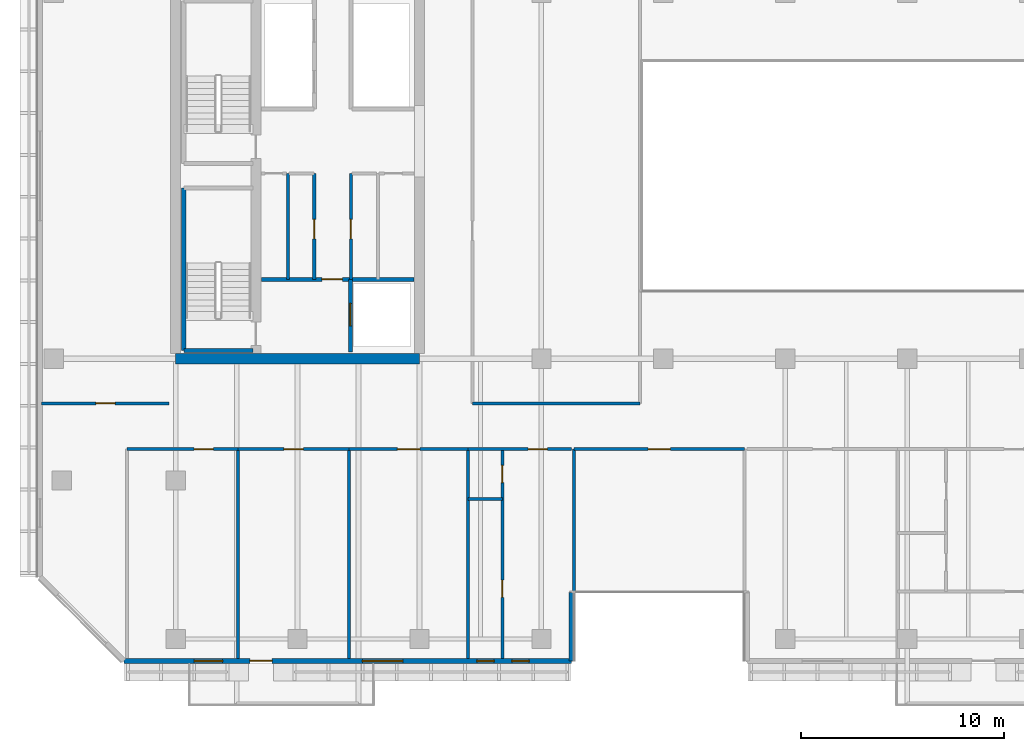
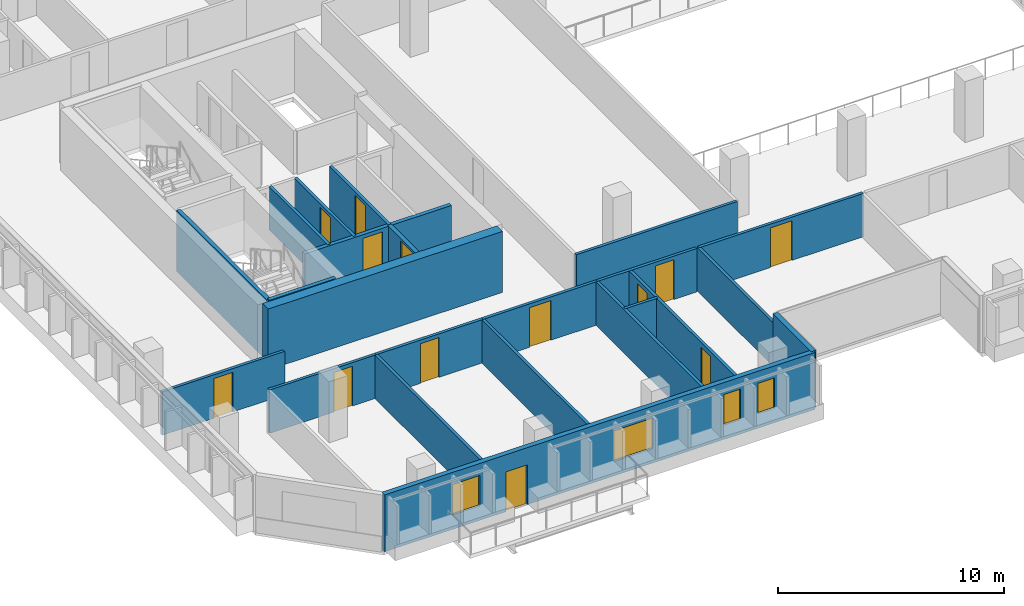
# One storey, part 10 of 23: 23 walls, 13 doors, 4 windows, 17 openings.
"""IFC4 building model written with IfcOpenShell, lengths in metres."""

from ifc_helpers import new_model, si_unit, direction, frame, frame_2d, origin, place, context, subcontext, project, spatial, rectangle, extrude, material, layer, layer_set, type_object, element, fill, save


model = new_model("IFC4")

# Units and contexts
model_context = context("Model", 3, precision=1e-05, world=origin(), true_north=direction((0.0, 1.0)))
body_context = subcontext(model_context, "Body", "Model", "MODEL_VIEW")
ifc_project = project(units=[si_unit("LENGTHUNIT", "METRE"), si_unit("AREAUNIT", "SQUARE_METRE"), si_unit("VOLUMEUNIT", "CUBIC_METRE"), si_unit("PLANEANGLEUNIT", "RADIAN"), si_unit("MASSUNIT", "GRAM", prefix="KILO")], contexts=[model_context])

# Site, building, storey
site_placement = place(None, origin())
site = spatial("IfcSite", under=ifc_project, at=site_placement, CompositionType="ELEMENT")
building_placement = place(site_placement, origin())
building = spatial("IfcBuilding", under=site, at=building_placement, Name="Tanjung Sevakor Pilgrim Tower", CompositionType="ELEMENT")
storey_placement = place(building_placement, frame((0.0, 0.0, 105.27001953125)))
storey = spatial("IfcBuildingStorey", under=building, at=storey_placement, Name="L29", CompositionType="ELEMENT", Elevation=105.27001953125)

# Walls
ifc_material_1 = material(Name="Concrete C60/75", Category="concrete")
ifc_layer_1 = layer(ifc_material_1, 0.5)
ifc_layer_set_1 = layer_set([ifc_layer_1], Name="WALL-CW-500")
wall_type_1 = type_object("IfcWallType", Name="WALL-CW-500", PredefinedType="SHEAR", material=ifc_layer_set_1)
wall_1_placement = place(storey_placement, frame((24.0, 24.60009765625, 0.0), z_axis=(0.0, 0.0, 1.0), x_axis=(1.0, 0.0, 0.0)))
element("IfcWall", 1, at=wall_1_placement, inside=storey, type_object=wall_type_1, Name="L29 W Core South Shear Wall", PredefinedType="SHEAR", context=body_context, shape_type="SweptSolid", body=[
    extrude(rectangle(XDim=12.0, YDim=0.5, at=frame_2d((6.0, 0.0))), origin(), (0.0, 0.0, 1.0), 3.300048828125),
])
ifc_material_2 = material(Name="Concrete C40/50", Category="concrete")
ifc_layer_2 = layer(ifc_material_2, 0.14990234375)
ifc_layer_set_2 = layer_set([ifc_layer_2], Name="WT-COMP-150")
wall_type_2 = type_object("IfcWallType", Name="WT-COMP-150", PredefinedType="SOLIDWALL", material=ifc_layer_set_2)
wall_2_placement = place(storey_placement, frame((29.52001953125, 28.5, 0.0), z_axis=(0.0, 0.0, 1.0), x_axis=(0.0, 1.0, 0.0)))
element("IfcWall", 2, at=wall_2_placement, inside=storey, type_object=wall_type_2, Name="L29 Partition IW-L29-003", PredefinedType="SOLIDWALL", context=body_context, shape_type="SweptSolid", body=[
    extrude(rectangle(XDim=5.219970703125, YDim=0.14990234375, at=frame_2d((2.60986328125, 0.0))), origin(), (0.0, 0.0, 1.0), 2.35009765625),
])

# Wall, opening, door
wall_3_placement = place(storey_placement, frame((30.820068359375, 28.5, 0.0), z_axis=(0.0, 0.0, 1.0), x_axis=(0.0, 1.0, 0.0)))
wall_3 = element("IfcWall", 3, at=wall_3_placement, inside=storey, type_object=wall_type_2, Name="L29 Partition IW-L29-006", PredefinedType="SOLIDWALL", context=body_context, shape_type="SweptSolid", body=[
    extrude(rectangle(XDim=5.219970703125, YDim=0.14990234375, at=frame_2d((2.60986328125, 0.0))), origin(), (0.0, 0.0, 1.0), 2.35009765625),
])
opening_1_placement = place(wall_3_placement, frame((2.0, 0.0, 0.0)))
opening_1 = element("IfcOpeningElement", 4, at=opening_1_placement, cuts=wall_3, Name="Opening ID-FD2", PredefinedType="OPENING", context=body_context, shape_type="SweptSolid", body=[
    extrude(rectangle(XDim=0.949951171875, YDim=2.14990234375, at=frame_2d((0.47509765625, 1.074951171875))), frame((0.0, 0.0849609375, 0.0), z_axis=(0.0, -1.0, 0.0), x_axis=(1.0, 0.0, 0.0)), (0.0, 0.0, 1.0), 0.169921875),
])
ifc_material_3 = material(Name="Fire-Rated Timber", Category="wood")
door_type_1 = type_object("IfcDoorType", Name="DT-FIRE-950", OperationType="NOTDEFINED", PredefinedType="DOOR", material=ifc_material_3)
door_1_placement = place(opening_1_placement, origin())
door_1 = element("IfcDoor", 5, at=door_1_placement, inside=storey, type_object=door_type_1, Name="L29 Housekeeping Pantry Door", OperationType="SINGLE_SWING_RIGHT", OverallHeight=2.14990234375, OverallWidth=0.949951171875, PredefinedType="DOOR", context=body_context, shape_type="SweptSolid", body=[
    extrude(rectangle(XDim=0.949951171875, YDim=2.14990234375, at=frame_2d((0.47509765625, 1.074951171875))), frame((0.0, 0.02490234375, 0.0), z_axis=(0.0, -1.0, 0.0), x_axis=(1.0, 0.0, 0.0)), (0.0, 0.0, 1.0), 0.050048828125),
])
fill(opening_1, door_1)

wall_4_placement = place(storey_placement, frame((32.6201171875, 28.5, 0.0), z_axis=(0.0, 0.0, 1.0), x_axis=(0.0, 1.0, 0.0)))
wall_4 = element("IfcWall", 6, at=wall_4_placement, inside=storey, type_object=wall_type_2, Name="L29 Partition IW-L29-010", PredefinedType="SOLIDWALL", context=body_context, shape_type="SweptSolid", body=[
    extrude(rectangle(XDim=5.219970703125, YDim=0.14990234375, at=frame_2d((2.60986328125, 0.0))), origin(), (0.0, 0.0, 1.0), 2.35009765625),
])
opening_2_placement = place(wall_4_placement, frame((2.0, 0.0, 0.0)))
opening_2 = element("IfcOpeningElement", 7, at=opening_2_placement, cuts=wall_4, Name="Opening ID-FD2", PredefinedType="OPENING", context=body_context, shape_type="SweptSolid", body=[
    extrude(rectangle(XDim=0.949951171875, YDim=2.14990234375, at=frame_2d((0.47509765625, 1.074951171875))), frame((0.0, 0.0849609375, 0.0), z_axis=(0.0, -1.0, 0.0), x_axis=(1.0, 0.0, 0.0)), (0.0, 0.0, 1.0), 0.169921875),
])
door_2_placement = place(opening_2_placement, origin())
door_2 = element("IfcDoor", 8, at=door_2_placement, inside=storey, type_object=door_type_1, Name="L29 Accessible WC Door", OperationType="SINGLE_SWING_RIGHT", OverallHeight=2.14990234375, OverallWidth=0.949951171875, PredefinedType="DOOR", context=body_context, shape_type="SweptSolid", body=[
    extrude(rectangle(XDim=0.949951171875, YDim=2.14990234375, at=frame_2d((0.47509765625, 1.074951171875))), frame((0.0, 0.02490234375, 0.0), z_axis=(0.0, -1.0, 0.0), x_axis=(1.0, 0.0, 0.0)), (0.0, 0.0, 1.0), 0.050048828125),
])
fill(opening_2, door_2)

# Wall
wall_5_placement = place(storey_placement, frame((38.60009765625, 22.39990234375, 0.0), z_axis=(0.0, 0.0, 1.0), x_axis=(1.0, 0.0, 0.0)))
element("IfcWall", 9, at=wall_5_placement, inside=storey, type_object=wall_type_2, Name="L29 Partition IW-L29-029", PredefinedType="SOLIDWALL", context=body_context, shape_type="SweptSolid", body=[
    extrude(rectangle(XDim=8.25, YDim=0.14990234375, at=frame_2d((4.125, 0.0))), origin(), (0.0, 0.0, 1.0), 2.35009765625),
])

# Wall, opening, door
wall_6_placement = place(storey_placement, frame((17.409912109375, 22.39990234375, 0.0), z_axis=(0.0, 0.0, 1.0), x_axis=(1.0, 0.0, 0.0)))
wall_6 = element("IfcWall", 10, at=wall_6_placement, inside=storey, type_object=wall_type_2, Name="L29 Partition IW-L29-037", PredefinedType="SOLIDWALL", context=body_context, shape_type="SweptSolid", body=[
    extrude(rectangle(XDim=6.27001953125, YDim=0.14990234375, at=frame_2d((3.135009765625, 0.0))), origin(), (0.0, 0.0, 1.0), 2.35009765625),
])
opening_3_placement = place(wall_6_placement, frame((2.659912109375, 0.0, 0.0)))
opening_3 = element("IfcOpeningElement", 11, at=opening_3_placement, cuts=wall_6, Name="Opening ID-FD2", PredefinedType="OPENING", context=body_context, shape_type="SweptSolid", body=[
    extrude(rectangle(XDim=0.949951171875, YDim=2.14990234375, at=frame_2d((0.47509765625, 1.074951171875))), frame((0.0, 0.0849609375, 0.0), z_axis=(0.0, -1.0, 0.0), x_axis=(1.0, 0.0, 0.0)), (0.0, 0.0, 1.0), 0.169921875),
])
door_3_placement = place(opening_3_placement, origin())
door_3 = element("IfcDoor", 12, at=door_3_placement, inside=storey, type_object=door_type_1, Name="Study Room Entrance", OperationType="SINGLE_SWING_LEFT", OverallHeight=2.14990234375, OverallWidth=0.949951171875, PredefinedType="DOOR", context=body_context, shape_type="SweptSolid", body=[
    extrude(rectangle(XDim=0.949951171875, YDim=2.14990234375, at=frame_2d((0.47509765625, 1.074951171875))), frame((0.0, 0.02490234375, 0.0), z_axis=(0.0, -1.0, 0.0), x_axis=(1.0, 0.0, 0.0)), (0.0, 0.0, 1.0), 0.050048828125),
])
fill(opening_3, door_3)

wall_7_placement = place(storey_placement, frame((43.60009765625, 20.14990234375, 0.0), z_axis=(0.0, 0.0, 1.0), x_axis=(1.0, 0.0, 0.0)))
wall_7 = element("IfcWall", 13, at=wall_7_placement, inside=storey, type_object=wall_type_2, Name="L29 Partition IW-L29-045", PredefinedType="SOLIDWALL", context=body_context, shape_type="SweptSolid", body=[
    extrude(rectangle(XDim=8.39990234375, YDim=0.14990234375, at=frame_2d((4.199951171875, 0.0))), origin(), (0.0, 0.0, 1.0), 2.35009765625),
])
opening_4_placement = place(wall_7_placement, frame((3.64990234375, 0.0, 0.0)))
opening_4 = element("IfcOpeningElement", 14, at=opening_4_placement, cuts=wall_7, Name="Opening ID-RM2", PredefinedType="OPENING", context=body_context, shape_type="SweptSolid", body=[
    extrude(rectangle(XDim=1.10009765625, YDim=2.14990234375, at=frame_2d((0.550048828125, 1.074951171875))), frame((0.0, 0.0849609375, 0.0), z_axis=(0.0, -1.0, 0.0), x_axis=(1.0, 0.0, 0.0)), (0.0, 0.0, 1.0), 0.169921875),
])
ifc_material_4 = material(Name="Hardwood Timber", Category="wood")
door_type_2 = type_object("IfcDoorType", Name="DT-INT-1100", OperationType="NOTDEFINED", PredefinedType="DOOR", material=ifc_material_4)
door_4_placement = place(opening_4_placement, origin())
door_4 = element("IfcDoor", 15, at=door_4_placement, inside=storey, type_object=door_type_2, Name="L29 South Cleft Communal Lounge Door", OperationType="SINGLE_SWING_LEFT", OverallHeight=2.14990234375, OverallWidth=1.10009765625, PredefinedType="DOOR", context=body_context, shape_type="SweptSolid", body=[
    extrude(rectangle(XDim=1.10009765625, YDim=2.14990234375, at=frame_2d((0.550048828125, 1.074951171875))), frame((0.0, 0.02490234375, 0.0), z_axis=(0.0, -1.0, 0.0), x_axis=(1.0, 0.0, 0.0)), (0.0, 0.0, 1.0), 0.050048828125),
])
fill(opening_4, door_4)

# Walls
for number, where, z_axis, x_axis, name in (
    (16, (43.60009765625, 9.85009765625, 0.0), (0.0, 0.0, 1.0), (0.0, 1.0, 0.0), "L29 Partition IW-L29-046"),
    (17, (27.070068359375, 9.85009765625, 0.0), (0.0, 0.0, 1.0), (0.0, 1.0, 0.0), "L29 Partition IW-L29-052"),
):
    element("IfcWall", number, at=place(storey_placement, frame(where, z_axis=z_axis, x_axis=x_axis)), inside=storey, type_object=wall_type_2, Name=name, PredefinedType="SOLIDWALL", context=body_context, shape_type="SweptSolid", body=[
        extrude(rectangle(XDim=10.2998046875, YDim=0.14990234375, at=frame_2d((5.14990234375, 0.0))), origin(), (0.0, 0.0, 1.0), 2.35009765625),
    ])

# Wall, opening, door
wall_8_placement = place(storey_placement, frame((21.60009765625, 20.14990234375, 0.0), z_axis=(0.0, 0.0, 1.0), x_axis=(1.0, 0.0, 0.0)))
wall_8 = element("IfcWall", 18, at=wall_8_placement, inside=storey, type_object=wall_type_2, Name="L29 Partition IW-L29-053", PredefinedType="SOLIDWALL", context=body_context, shape_type="SweptSolid", body=[
    extrude(rectangle(XDim=5.469970703125, YDim=0.14990234375, at=frame_2d((2.73486328125, 0.0))), origin(), (0.0, 0.0, 1.0), 2.35009765625),
])
opening_5_placement = place(wall_8_placement, frame((3.31005859375, 0.0, 0.0)))
opening_5 = element("IfcOpeningElement", 19, at=opening_5_placement, cuts=wall_8, Name="Opening ID-FD2", PredefinedType="OPENING", context=body_context, shape_type="SweptSolid", body=[
    extrude(rectangle(XDim=0.949951171875, YDim=2.14990234375, at=frame_2d((0.47509765625, 1.074951171875))), frame((0.0, 0.0849609375, 0.0), z_axis=(0.0, -1.0, 0.0), x_axis=(1.0, 0.0, 0.0)), (0.0, 0.0, 1.0), 0.169921875),
])
door_5_placement = place(opening_5_placement, origin())
door_5 = element("IfcDoor", 20, at=door_5_placement, inside=storey, type_object=door_type_1, Name="Study Room Entrance", OperationType="SINGLE_SWING_LEFT", OverallHeight=2.14990234375, OverallWidth=0.949951171875, PredefinedType="DOOR", context=body_context, shape_type="SweptSolid", body=[
    extrude(rectangle(XDim=0.949951171875, YDim=2.14990234375, at=frame_2d((0.47509765625, 1.074951171875))), frame((0.0, 0.02490234375, 0.0), z_axis=(0.0, -1.0, 0.0), x_axis=(1.0, 0.0, 0.0)), (0.0, 0.0, 1.0), 0.050048828125),
])
fill(opening_5, door_5)

# Wall
wall_9_placement = place(storey_placement, frame((32.5400390625, 9.85009765625, 0.0), z_axis=(0.0, 0.0, 1.0), x_axis=(0.0, 1.0, 0.0)))
element("IfcWall", 21, at=wall_9_placement, inside=storey, type_object=wall_type_2, Name="L29 Partition IW-L29-054", PredefinedType="SOLIDWALL", context=body_context, shape_type="SweptSolid", body=[
    extrude(rectangle(XDim=10.2998046875, YDim=0.14990234375, at=frame_2d((5.14990234375, 0.0))), origin(), (0.0, 0.0, 1.0), 2.35009765625),
])

# Wall, opening, door
wall_10_placement = place(storey_placement, frame((27.070068359375, 20.14990234375, 0.0), z_axis=(0.0, 0.0, 1.0), x_axis=(1.0, 0.0, 0.0)))
wall_10 = element("IfcWall", 22, at=wall_10_placement, inside=storey, type_object=wall_type_2, Name="L29 Partition IW-L29-055", PredefinedType="SOLIDWALL", context=body_context, shape_type="SweptSolid", body=[
    extrude(rectangle(XDim=5.469970703125, YDim=0.14990234375, at=frame_2d((2.73486328125, 0.0))), origin(), (0.0, 0.0, 1.0), 2.35009765625),
])
opening_6_placement = place(wall_10_placement, frame((2.260009765625, 0.0, 0.0)))
opening_6 = element("IfcOpeningElement", 23, at=opening_6_placement, cuts=wall_10, Name="Opening ID-FD2", PredefinedType="OPENING", context=body_context, shape_type="SweptSolid", body=[
    extrude(rectangle(XDim=0.949951171875, YDim=2.14990234375, at=frame_2d((0.47509765625, 1.074951171875))), frame((0.0, 0.0849609375, 0.0), z_axis=(0.0, -1.0, 0.0), x_axis=(1.0, 0.0, 0.0)), (0.0, 0.0, 1.0), 0.169921875),
])
door_6_placement = place(opening_6_placement, origin())
door_6 = element("IfcDoor", 24, at=door_6_placement, inside=storey, type_object=door_type_1, Name="Study Room Entrance", OperationType="SINGLE_SWING_RIGHT", OverallHeight=2.14990234375, OverallWidth=0.949951171875, PredefinedType="DOOR", context=body_context, shape_type="SweptSolid", body=[
    extrude(rectangle(XDim=0.949951171875, YDim=2.14990234375, at=frame_2d((0.47509765625, 1.074951171875))), frame((0.0, 0.02490234375, 0.0), z_axis=(0.0, -1.0, 0.0), x_axis=(1.0, 0.0, 0.0)), (0.0, 0.0, 1.0), 0.050048828125),
])
fill(opening_6, door_6)

# Wall
wall_11_placement = place(storey_placement, frame((38.38720703125, 9.85009765625, 0.0), z_axis=(0.0, 0.0, 1.0), x_axis=(0.0, 1.0, 0.0)))
element("IfcWall", 25, at=wall_11_placement, inside=storey, type_object=wall_type_2, Name="L29 Partition IW-L29-056", PredefinedType="SOLIDWALL", context=body_context, shape_type="SweptSolid", body=[
    extrude(rectangle(XDim=10.2998046875, YDim=0.14990234375, at=frame_2d((5.14990234375, 0.0))), origin(), (0.0, 0.0, 1.0), 2.35009765625),
])

# Wall, opening, door
wall_12_placement = place(storey_placement, frame((32.5400390625, 20.14990234375, 0.0), z_axis=(0.0, 0.0, 1.0), x_axis=(1.0, 0.0, 0.0)))
wall_12 = element("IfcWall", 26, at=wall_12_placement, inside=storey, type_object=wall_type_2, Name="L29 Partition IW-L29-057", PredefinedType="SOLIDWALL", context=body_context, shape_type="SweptSolid", body=[
    extrude(rectangle(XDim=5.84716796875, YDim=0.14990234375, at=frame_2d((2.923583984375, 0.0))), origin(), (0.0, 0.0, 1.0), 2.35009765625),
])
opening_7_placement = place(wall_12_placement, frame((2.37353515625, 0.0, 0.0)))
opening_7 = element("IfcOpeningElement", 27, at=opening_7_placement, cuts=wall_12, Name="Opening ID-FD0", PredefinedType="OPENING", context=body_context, shape_type="SweptSolid", body=[
    extrude(rectangle(XDim=1.10009765625, YDim=2.14990234375, at=frame_2d((0.550048828125, 1.074951171875))), frame((0.0, 0.0849609375, 0.0), z_axis=(0.0, -1.0, 0.0), x_axis=(1.0, 0.0, 0.0)), (0.0, 0.0, 1.0), 0.169921875),
])
ifc_material_5 = material(Name="Fire-Rated Steel S355J2", Category="steel")
door_type_3 = type_object("IfcDoorType", Name="DT-FIRE-1100", OperationType="NOTDEFINED", PredefinedType="DOOR", material=ifc_material_5)
door_7_placement = place(opening_7_placement, origin())
door_7 = element("IfcDoor", 28, at=door_7_placement, inside=storey, type_object=door_type_3, Name="Communal Lounge Door", OperationType="SINGLE_SWING_LEFT", OverallHeight=2.14990234375, OverallWidth=1.10009765625, PredefinedType="DOOR", context=body_context, shape_type="SweptSolid", body=[
    extrude(rectangle(XDim=1.10009765625, YDim=2.14990234375, at=frame_2d((0.550048828125, 1.074951171875))), frame((0.0, 0.02490234375, 0.0), z_axis=(0.0, -1.0, 0.0), x_axis=(1.0, 0.0, 0.0)), (0.0, 0.0, 1.0), 0.050048828125),
])
fill(opening_7, door_7)

wall_13_placement = place(storey_placement, frame((38.38720703125, 20.14990234375, 0.0), z_axis=(0.0, 0.0, 1.0), x_axis=(1.0, 0.0, 0.0)))
wall_13 = element("IfcWall", 29, at=wall_13_placement, inside=storey, type_object=wall_type_2, Name="L29 Partition IW-L29-060", PredefinedType="SOLIDWALL", context=body_context, shape_type="SweptSolid", body=[
    extrude(rectangle(XDim=5.0927734375, YDim=0.14990234375, at=frame_2d((2.54638671875, 0.0))), origin(), (0.0, 0.0, 1.0), 2.35009765625),
])
opening_8_placement = place(wall_13_placement, frame((2.957763671875, 0.0, 0.0)))
opening_8 = element("IfcOpeningElement", 30, at=opening_8_placement, cuts=wall_13, Name="Opening ID-FD2", PredefinedType="OPENING", context=body_context, shape_type="SweptSolid", body=[
    extrude(rectangle(XDim=0.949951171875, YDim=2.14990234375, at=frame_2d((0.47509765625, 1.074951171875))), frame((0.0, 0.0849609375, 0.0), z_axis=(0.0, -1.0, 0.0), x_axis=(1.0, 0.0, 0.0)), (0.0, 0.0, 1.0), 0.169921875),
])
door_8_placement = place(opening_8_placement, origin())
door_8 = element("IfcDoor", 31, at=door_8_placement, inside=storey, type_object=door_type_1, Name="Hotel Guestroom Entrance", OperationType="SINGLE_SWING_RIGHT", OverallHeight=2.14990234375, OverallWidth=0.949951171875, PredefinedType="DOOR", context=body_context, shape_type="SweptSolid", body=[
    extrude(rectangle(XDim=0.949951171875, YDim=2.14990234375, at=frame_2d((0.47509765625, 1.074951171875))), frame((0.0, 0.02490234375, 0.0), z_axis=(0.0, -1.0, 0.0), x_axis=(1.0, 0.0, 0.0)), (0.0, 0.0, 1.0), 0.050048828125),
])
fill(opening_8, door_8)

# Wall, openings, door, windows
ifc_material_6 = material(Name="Precast concrete C45/55", Category="concrete")
ifc_layer_3 = layer(ifc_material_6, 0.25)
ifc_layer_set_3 = layer_set([ifc_layer_3], Name="WT-EW-STN3")
wall_type_3 = type_object("IfcWallType", Name="WT-EW-STN3", PredefinedType="SOLIDWALL", material=ifc_layer_set_3)
wall_14_placement = place(storey_placement, frame((21.451904296875, 9.72509765625, 0.0), z_axis=(0.0, 0.0, 1.0), x_axis=(1.0, 0.0, 0.0)))
wall_14 = element("IfcWall", 32, at=wall_14_placement, inside=storey, type_object=wall_type_3, Name="L29 MAIN Exterior Wall 1", PredefinedType="SOLIDWALL", context=body_context, shape_type="SweptSolid", body=[
    extrude(rectangle(XDim=22.023193359375, YDim=0.25, at=frame_2d((11.01171875, 0.0))), origin(), (0.0, 0.0, 1.0), 3.080078125),
])
opening_9_placement = place(wall_14_placement, frame((6.1982421875, 0.0, 0.0)))
opening_9 = element("IfcOpeningElement", 33, at=opening_9_placement, cuts=wall_14, Name="Opening ED-BAL-1100", PredefinedType="OPENING", context=body_context, shape_type="SweptSolid", body=[
    extrude(rectangle(XDim=1.10009765625, YDim=2.14990234375, at=frame_2d((0.550048828125, 1.074951171875))), frame((0.0, 0.135009765625, 0.0), z_axis=(0.0, -1.0, 0.0), x_axis=(1.0, 0.0, 0.0)), (0.0, 0.0, 1.0), 0.27001953125),
])
opening_10_placement = place(wall_14_placement, frame((3.463134765625, 0.0, 0.780029296875)))
opening_10 = element("IfcOpeningElement", 34, at=opening_10_placement, cuts=wall_14, Name="Opening WN-END", PredefinedType="OPENING", context=body_context, shape_type="SweptSolid", body=[
    extrude(rectangle(XDim=1.39990234375, YDim=1.64990234375, at=frame_2d((0.699951171875, 0.824951171875))), frame((0.0, 0.135009765625, 0.0), z_axis=(0.0, -1.0, 0.0), x_axis=(1.0, 0.0, 0.0)), (0.0, 0.0, 1.0), 0.27001953125),
])
opening_11_placement = place(wall_14_placement, frame((11.731689453125, 0.0, 0.780029296875)))
opening_11 = element("IfcOpeningElement", 35, at=opening_11_placement, cuts=wall_14, Name="Opening WN-Z2-1660", PredefinedType="OPENING", context=body_context, shape_type="SweptSolid", body=[
    extrude(rectangle(XDim=2.0, YDim=1.659912109375, at=frame_2d((1.0, 0.830078125))), frame((0.0, 0.135009765625, 0.0), z_axis=(0.0, -1.0, 0.0), x_axis=(1.0, 0.0, 0.0)), (0.0, 0.0, 1.0), 0.27001953125),
])
opening_12_placement = place(wall_14_placement, frame((17.36669921875, 0.0, 0.780029296875)))
opening_12 = element("IfcOpeningElement", 36, at=opening_12_placement, cuts=wall_14, Name="Opening WN-SLM", PredefinedType="OPENING", context=body_context, shape_type="SweptSolid", body=[
    extrude(rectangle(XDim=0.85009765625, YDim=1.64990234375, at=frame_2d((0.425048828125, 0.824951171875))), frame((0.0, 0.135009765625, 0.0), z_axis=(0.0, -1.0, 0.0), x_axis=(1.0, 0.0, 0.0)), (0.0, 0.0, 1.0), 0.27001953125),
])
opening_13_placement = place(wall_14_placement, frame((19.09326171875, 0.0, 0.780029296875)))
opening_13 = element("IfcOpeningElement", 37, at=opening_13_placement, cuts=wall_14, Name="Opening WN-SLM", PredefinedType="OPENING", context=body_context, shape_type="SweptSolid", body=[
    extrude(rectangle(XDim=0.85009765625, YDim=1.64990234375, at=frame_2d((0.425048828125, 0.824951171875))), frame((0.0, 0.135009765625, 0.0), z_axis=(0.0, -1.0, 0.0), x_axis=(1.0, 0.0, 0.0)), (0.0, 0.0, 1.0), 0.27001953125),
])
ifc_material_7 = material(Name="Anodised Aluminium and Laminated Glass", Category="aluminium")
door_type_4 = type_object("IfcDoorType", Name="DTYP-ED-BAL-1100", OperationType="NOTDEFINED", PredefinedType="DOOR", material=ifc_material_7)
door_9_placement = place(opening_9_placement, frame((1.10009765625, 0.0, 0.0), z_axis=(0.0, 0.0, 1.0), x_axis=(-1.0, 0.0, 0.0)))
door_9 = element("IfcDoor", 38, at=door_9_placement, inside=storey, type_object=door_type_4, Name="L29 Balcony Door MAIN-S1", OperationType="SINGLE_SWING_RIGHT", OverallHeight=2.14990234375, OverallWidth=1.10009765625, PredefinedType="DOOR", context=body_context, shape_type="SweptSolid", body=[
    extrude(rectangle(XDim=1.10009765625, YDim=2.14990234375, at=frame_2d((0.550048828125, 1.074951171875))), frame((0.0, 0.02490234375, 0.0), z_axis=(0.0, -1.0, 0.0), x_axis=(1.0, 0.0, 0.0)), (0.0, 0.0, 1.0), 0.050048828125),
])
fill(opening_9, door_9)
ifc_material_8 = material(Name="Thermally Broken Aluminium and Low-E Glass", Category="aluminium")
window_type_1 = type_object("IfcWindowType", Name="WTYP-WN-END", PartitioningType="SINGLE_PANEL", PredefinedType="WINDOW", material=ifc_material_8)
window_1_placement = place(opening_10_placement, origin())
window_1 = element("IfcWindow", 39, at=window_1_placement, inside=storey, type_object=window_type_1, Name="L29 Facade Window 01", OverallHeight=1.64990234375, OverallWidth=1.39990234375, PartitioningType="SINGLE_PANEL", PredefinedType="WINDOW", context=body_context, shape_type="SweptSolid", body=[
    extrude(rectangle(XDim=1.39990234375, YDim=1.64990234375, at=frame_2d((0.699951171875, 0.824951171875))), frame((0.0, 0.030029296875, 0.0), z_axis=(0.0, -1.0, 0.0), x_axis=(1.0, 0.0, 0.0)), (0.0, 0.0, 1.0), 0.06005859375),
])
fill(opening_10, window_1)
ifc_material_9 = material(Name="Thermally Broken Aluminium and Low-E Glass", Category="aluminium")
window_type_2 = type_object("IfcWindowType", Name="WTYP-WN-SLM", PartitioningType="SINGLE_PANEL", PredefinedType="WINDOW", material=ifc_material_9)
window_2_placement = place(opening_12_placement, origin())
window_2 = element("IfcWindow", 40, at=window_2_placement, inside=storey, type_object=window_type_2, Name="L29 Facade Window 03", OverallHeight=1.64990234375, OverallWidth=0.85009765625, PartitioningType="SINGLE_PANEL", PredefinedType="WINDOW", context=body_context, shape_type="SweptSolid", body=[
    extrude(rectangle(XDim=0.85009765625, YDim=1.64990234375, at=frame_2d((0.425048828125, 0.824951171875))), frame((0.0, 0.030029296875, 0.0), z_axis=(0.0, -1.0, 0.0), x_axis=(1.0, 0.0, 0.0)), (0.0, 0.0, 1.0), 0.06005859375),
])
fill(opening_12, window_2)
window_3_placement = place(opening_13_placement, origin())
window_3 = element("IfcWindow", 41, at=window_3_placement, inside=storey, type_object=window_type_2, Name="L29 Facade Window 04", OverallHeight=1.64990234375, OverallWidth=0.85009765625, PartitioningType="SINGLE_PANEL", PredefinedType="WINDOW", context=body_context, shape_type="SweptSolid", body=[
    extrude(rectangle(XDim=0.85009765625, YDim=1.64990234375, at=frame_2d((0.425048828125, 0.824951171875))), frame((0.0, 0.030029296875, 0.0), z_axis=(0.0, -1.0, 0.0), x_axis=(1.0, 0.0, 0.0)), (0.0, 0.0, 1.0), 0.06005859375),
])
fill(opening_13, window_3)
ifc_material_10 = material(Name="Thermally Broken Aluminium and Low-E Glass", Category="aluminium")
window_type_3 = type_object("IfcWindowType", Name="WTYP-WN-Z2-1660", PartitioningType="DOUBLE_PANEL_VERTICAL", PredefinedType="WINDOW", material=ifc_material_10)
window_4_placement = place(opening_11_placement, origin())
window_4 = element("IfcWindow", 42, at=window_4_placement, inside=storey, type_object=window_type_3, Name="L29 Facade Window 02", OverallHeight=1.659912109375, OverallWidth=2.0, PartitioningType="SINGLE_PANEL", PredefinedType="WINDOW", context=body_context, shape_type="SweptSolid", body=[
    extrude(rectangle(XDim=2.0, YDim=1.659912109375, at=frame_2d((1.0, 0.830078125))), frame((0.0, 0.030029296875, 0.0), z_axis=(0.0, -1.0, 0.0), x_axis=(1.0, 0.0, 0.0)), (0.0, 0.0, 1.0), 0.06005859375),
])
fill(opening_11, window_4)

# Walls
wall_15_placement = place(storey_placement, frame((43.47509765625, 9.72509765625, 0.0), z_axis=(0.0, 0.0, 1.0), x_axis=(0.0, 1.0, 0.0)))
element("IfcWall", 43, at=wall_15_placement, inside=storey, type_object=wall_type_3, Name="L29 MAIN Exterior Wall 2", PredefinedType="SOLIDWALL", context=body_context, shape_type="SweptSolid", body=[
    extrude(rectangle(XDim=3.39990234375, YDim=0.25, at=frame_2d((1.699951171875, 0.0))), origin(), (0.0, 0.0, 1.0), 3.080078125),
])
ifc_material_11 = material(Name="Concrete C40/50", Category="concrete")
ifc_layer_4 = layer(ifc_material_11, 0.199951171875)
ifc_layer_set_4 = layer_set([ifc_layer_4], Name="WT-FIRE-200")
wall_type_4 = type_object("IfcWallType", Name="WT-FIRE-200", PredefinedType="SOLIDWALL", material=ifc_layer_set_4)
wall_16_placement = place(storey_placement, frame((24.39990234375, 25.0, 0.0), z_axis=(0.0, 0.0, 1.0), x_axis=(1.0, 0.0, 0.0)))
element("IfcWall", 44, at=wall_16_placement, inside=storey, type_object=wall_type_4, Name="L29 TS-W1 Shaft Wall 1", PredefinedType="SOLIDWALL", context=body_context, shape_type="SweptSolid", body=[
    extrude(rectangle(XDim=3.400146484375, YDim=0.199951171875, at=frame_2d((1.7001953125, 0.0))), origin(), (0.0, 0.0, 1.0), 3.300048828125),
])
wall_17_placement = place(storey_placement, frame((24.39990234375, 33.0, 0.0), z_axis=(0.0, 0.0, 1.0), x_axis=(0.0, -1.0, 0.0)))
element("IfcWall", 45, at=wall_17_placement, inside=storey, type_object=wall_type_4, Name="L29 TS-W1 Shaft Wall 3", PredefinedType="SOLIDWALL", context=body_context, shape_type="SweptSolid", body=[
    extrude(rectangle(XDim=8.0, YDim=0.199951171875, at=frame_2d((4.0, 0.0))), origin(), (0.0, 0.0, 1.0), 3.300048828125),
])

# Wall, opening, door
ifc_material_12 = material(Name="Concrete C40/50", Category="concrete")
ifc_layer_5 = layer(ifc_material_12, 0.199951171875)
ifc_layer_set_5 = layer_set([ifc_layer_5], Name="WT-FPRT-200")
wall_type_5 = type_object("IfcWallType", Name="WT-FPRT-200", PredefinedType="SOLIDWALL", material=ifc_layer_set_5)
wall_18_placement = place(storey_placement, frame((32.60009765625, 24.919921875, 0.0), z_axis=(0.0, 0.0, 1.0), x_axis=(0.0, 1.0, 0.0)))
wall_18 = element("IfcWall", 46, at=wall_18_placement, inside=storey, type_object=wall_type_5, Name="L29 Partition IW-L29-001", PredefinedType="SOLIDWALL", context=body_context, shape_type="SweptSolid", body=[
    extrude(rectangle(XDim=3.580078125, YDim=0.199951171875, at=frame_2d((1.7900390625, 0.0))), origin(), (0.0, 0.0, 1.0), 2.35009765625),
])
opening_14_placement = place(wall_18_placement, frame((1.300048828125, 0.0, 0.0)))
opening_14 = element("IfcOpeningElement", 47, at=opening_14_placement, cuts=wall_18, Name="Opening LD-1100", PredefinedType="OPENING", context=body_context, shape_type="SweptSolid", body=[
    extrude(rectangle(XDim=1.10009765625, YDim=2.199951171875, at=frame_2d((0.550048828125, 1.10009765625))), frame((0.0, 0.10986328125, 0.0), z_axis=(0.0, -1.0, 0.0), x_axis=(1.0, 0.0, 0.0)), (0.0, 0.0, 1.0), 0.219970703125),
])
ifc_material_13 = material(Name="Brushed Stainless Steel S355J2", Category="steel")
door_type_5 = type_object("IfcDoorType", Name="DT-LIFT-1100", OperationType="SLIDING_TO_LEFT", PredefinedType="DOOR", material=ifc_material_13)
door_10_placement = place(opening_14_placement, origin())
door_10 = element("IfcDoor", 48, at=door_10_placement, inside=storey, type_object=door_type_5, Name="LD-FL-W", OperationType="SLIDING_TO_LEFT", OverallHeight=2.199951171875, OverallWidth=1.10009765625, PredefinedType="DOOR", context=body_context, shape_type="SweptSolid", body=[
    extrude(rectangle(XDim=1.10009765625, YDim=2.199951171875, at=frame_2d((0.550048828125, 1.10009765625))), frame((0.0, 0.02490234375, 0.0), z_axis=(0.0, -1.0, 0.0), x_axis=(1.0, 0.0, 0.0)), (0.0, 0.0, 1.0), 0.050048828125),
])
fill(opening_14, door_10)

wall_19_placement = place(storey_placement, frame((28.219970703125, 28.5, 0.0), z_axis=(0.0, 0.0, 1.0), x_axis=(1.0, 0.0, 0.0)))
wall_19 = element("IfcWall", 49, at=wall_19_placement, inside=storey, type_object=wall_type_5, Name="L29 Partition IW-L29-002", PredefinedType="SOLIDWALL", context=body_context, shape_type="SweptSolid", body=[
    extrude(rectangle(XDim=7.510009765625, YDim=0.199951171875, at=frame_2d((3.7548828125, 0.0))), origin(), (0.0, 0.0, 1.0), 2.35009765625),
])
opening_15_placement = place(wall_19_placement, frame((2.97998046875, 0.0, 0.0)))
opening_15 = element("IfcOpeningElement", 50, at=opening_15_placement, cuts=wall_19, Name="Opening ID-FD1", PredefinedType="OPENING", context=body_context, shape_type="SweptSolid", body=[
    extrude(rectangle(XDim=1.0, YDim=2.14990234375, at=frame_2d((0.5, 1.074951171875))), frame((0.0, 0.10986328125, 0.0), z_axis=(0.0, -1.0, 0.0), x_axis=(1.0, 0.0, 0.0)), (0.0, 0.0, 1.0), 0.219970703125),
])
ifc_material_14 = material(Name="Fire-Rated Steel S355J2", Category="steel")
door_type_6 = type_object("IfcDoorType", Name="DT-FIRE-1000", OperationType="NOTDEFINED", PredefinedType="DOOR", material=ifc_material_14)
door_11_placement = place(opening_15_placement, origin())
door_11 = element("IfcDoor", 51, at=door_11_placement, inside=storey, type_object=door_type_6, Name="Fire Lobby Door W", OperationType="SINGLE_SWING_RIGHT", OverallHeight=2.14990234375, OverallWidth=1.0, PredefinedType="DOOR", context=body_context, shape_type="SweptSolid", body=[
    extrude(rectangle(XDim=1.0, YDim=2.14990234375, at=frame_2d((0.5, 1.074951171875))), frame((0.0, 0.02490234375, 0.0), z_axis=(0.0, -1.0, 0.0), x_axis=(1.0, 0.0, 0.0)), (0.0, 0.0, 1.0), 0.050048828125),
])
fill(opening_15, door_11)

# Wall
ifc_material_15 = material(Name="Gypsum Board Partition", Category="gypsum board")
ifc_layer_6 = layer(ifc_material_15, 0.14990234375)
ifc_layer_set_6 = layer_set([ifc_layer_6], Name="WT-PART-150")
wall_type_6 = type_object("IfcWallType", Name="WT-PART-150", PredefinedType="PARTITIONING", material=ifc_layer_set_6)
wall_20_placement = place(storey_placement, frame((38.38720703125, 17.699951171875, 0.0), z_axis=(0.0, 0.0, 1.0), x_axis=(1.0, 0.0, 0.0)))
element("IfcWall", 52, at=wall_20_placement, inside=storey, type_object=wall_type_6, Name="L29 Partition IW-L29-058", PredefinedType="PARTITIONING", context=body_context, shape_type="SweptSolid", body=[
    extrude(rectangle(XDim=1.69287109375, YDim=0.14990234375, at=frame_2d((0.846435546875, 0.0))), origin(), (0.0, 0.0, 1.0), 2.35009765625),
])

# Wall, openings, doors
wall_21_placement = place(storey_placement, frame((40.080078125, 9.85009765625, 0.0), z_axis=(0.0, 0.0, 1.0), x_axis=(0.0, 1.0, 0.0)))
wall_21 = element("IfcWall", 53, at=wall_21_placement, inside=storey, type_object=wall_type_6, Name="L29 Partition IW-L29-059", PredefinedType="PARTITIONING", context=body_context, shape_type="SweptSolid", body=[
    extrude(rectangle(XDim=10.2998046875, YDim=0.14990234375, at=frame_2d((5.14990234375, 0.0))), origin(), (0.0, 0.0, 1.0), 2.35009765625),
])
opening_16_placement = place(wall_21_placement, frame((3.0, 0.0, 0.0)))
opening_16 = element("IfcOpeningElement", 54, at=opening_16_placement, cuts=wall_21, Name="Opening ID-WC1", PredefinedType="OPENING", context=body_context, shape_type="SweptSolid", body=[
    extrude(rectangle(XDim=0.85009765625, YDim=2.10009765625, at=frame_2d((0.425048828125, 1.050048828125))), frame((0.0, 0.0849609375, 0.0), z_axis=(0.0, -1.0, 0.0), x_axis=(1.0, 0.0, 0.0)), (0.0, 0.0, 1.0), 0.169921875),
])
opening_17_placement = place(wall_21_placement, frame((8.64990234375, 0.0, 0.0)))
opening_17 = element("IfcOpeningElement", 55, at=opening_17_placement, cuts=wall_21, Name="Opening ID-WC1", PredefinedType="OPENING", context=body_context, shape_type="SweptSolid", body=[
    extrude(rectangle(XDim=0.85009765625, YDim=2.10009765625, at=frame_2d((0.425048828125, 1.050048828125))), frame((0.0, 0.0849609375, 0.0), z_axis=(0.0, -1.0, 0.0), x_axis=(1.0, 0.0, 0.0)), (0.0, 0.0, 1.0), 0.169921875),
])
ifc_material_16 = material(Name="Moisture-Resistant Timber", Category="wood")
door_type_7 = type_object("IfcDoorType", Name="DT-INT-850", OperationType="NOTDEFINED", PredefinedType="DOOR", material=ifc_material_16)
door_12_placement = place(opening_16_placement, origin())
door_12 = element("IfcDoor", 56, at=door_12_placement, inside=storey, type_object=door_type_7, Name="Study Nook Door", OperationType="SINGLE_SWING_RIGHT", OverallHeight=2.10009765625, OverallWidth=0.85009765625, PredefinedType="DOOR", context=body_context, shape_type="SweptSolid", body=[
    extrude(rectangle(XDim=0.85009765625, YDim=2.10009765625, at=frame_2d((0.425048828125, 1.050048828125))), frame((0.0, 0.02490234375, 0.0), z_axis=(0.0, -1.0, 0.0), x_axis=(1.0, 0.0, 0.0)), (0.0, 0.0, 1.0), 0.050048828125),
])
fill(opening_16, door_12)
door_13_placement = place(opening_17_placement, origin())
door_13 = element("IfcDoor", 57, at=door_13_placement, inside=storey, type_object=door_type_7, Name="Bathroom Door", OperationType="SINGLE_SWING_LEFT", OverallHeight=2.10009765625, OverallWidth=0.85009765625, PredefinedType="DOOR", context=body_context, shape_type="SweptSolid", body=[
    extrude(rectangle(XDim=0.85009765625, YDim=2.10009765625, at=frame_2d((0.425048828125, 1.050048828125))), frame((0.0, 0.02490234375, 0.0), z_axis=(0.0, -1.0, 0.0), x_axis=(1.0, 0.0, 0.0)), (0.0, 0.0, 1.0), 0.050048828125),
])
fill(opening_17, door_13)

save(model, "model.ifc")
